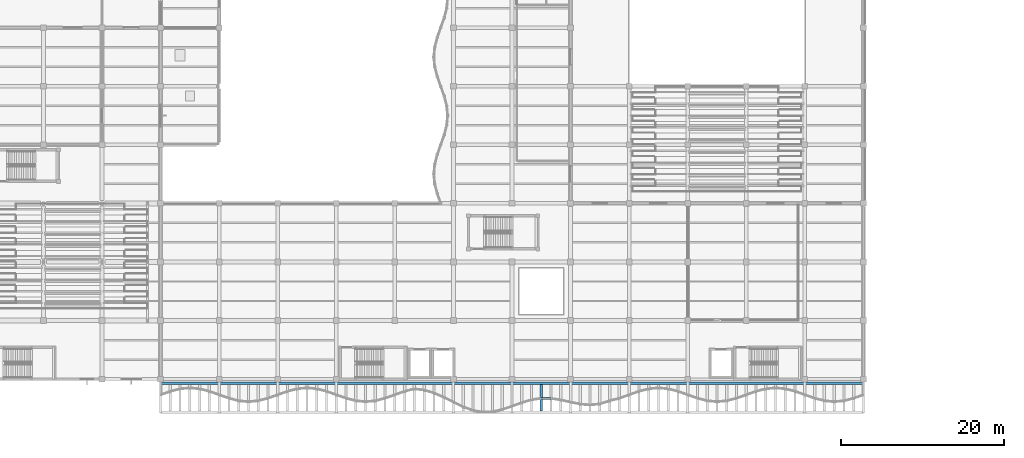
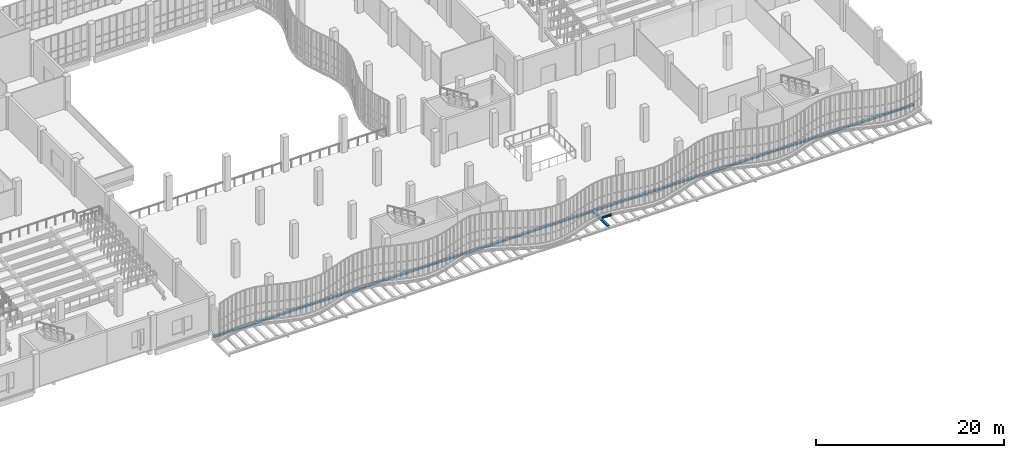
# One storey, part 30 of 108: 3 beams.
"""IFC4 building model written with IfcOpenShell, lengths in metres."""

from ifc_helpers import new_model, si_unit, direction, frame, origin, origin_2d, place, context, subcontext, project, spatial, i_section, extrude, material, material_profile, profile_set, type_object, element, save


model = new_model("IFC4")

# Units and contexts
model_context = context("Model", 3, precision=1e-05, world=origin(), true_north=direction((0.0, 1.0)))
body_context = subcontext(model_context, "Body", "Model", "MODEL_VIEW")
ifc_project = project(units=[si_unit("LENGTHUNIT", "METRE"), si_unit("AREAUNIT", "SQUARE_METRE"), si_unit("VOLUMEUNIT", "CUBIC_METRE"), si_unit("PLANEANGLEUNIT", "RADIAN"), si_unit("MASSUNIT", "GRAM", prefix="KILO"), si_unit("THERMODYNAMICTEMPERATUREUNIT", "KELVIN"), si_unit("POWERUNIT", "WATT")], contexts=[model_context])

# Site, building, storey
site_placement = place(None, origin())
site = spatial("IfcSite", under=ifc_project, at=site_placement, CompositionType="ELEMENT")
building_placement = place(site_placement, origin())
building = spatial("IfcBuilding", under=site, at=building_placement, Name="Kaldorven Railside Theatre", CompositionType="ELEMENT")
storey_placement = place(building_placement, frame((0.0, 0.0, 5.39990234375)))
storey = spatial("IfcBuildingStorey", under=building, at=storey_placement, Name="L01", CompositionType="ELEMENT", Elevation=5.39990234375)

# Beams
ifc_material = material(Name="Steel S355", Category="steel")
ifc_material_profile = material_profile(ifc_material, i_section(OverallWidth=0.280029296875, OverallDepth=0.280029296875, WebThickness=0.010498046875, FlangeThickness=0.01806640625, at=origin_2d()), Name="HEB 280")
ifc_profile_set = profile_set([ifc_material_profile], Name="Steel S355")
beam_type = type_object("IfcBeamType", Name="BM-HEB280", PredefinedType="SPANDREL", material=ifc_profile_set)
beam_1_placement = place(storey_placement, frame((36.800048828125, 18.699951171875, -0.719970703125), z_axis=(1.0, 0.0, 0.0), x_axis=(0.0, 1.0, 0.0)))
element("IfcBeam", 1, at=beam_1_placement, inside=storey, type_object=beam_type, Name="L01 Sinusoidal In Collector Girder FOB-T013", PredefinedType="SPANDREL", context=body_context, shape_type="SweptSolid", body=[
    extrude(i_section(OverallWidth=0.280029296875, OverallDepth=0.280029296875, WebThickness=0.010498046875, FlangeThickness=0.01806640625, at=origin_2d()), origin(), (0.0, 0.0, 1.0), 86.39990234375),
])
beam_2_placement = place(storey_placement, frame((83.614990234375, 16.821044921875, -0.43994140625), z_axis=(0.999902271255, -0.013980269652, 0.0), x_axis=(0.013980269652, 0.999902271255, 0.0)))
element("IfcBeam", 2, at=beam_2_placement, inside=storey, type_object=beam_type, Name="L01 Sinusoidal Flute Edge Spandrel FSB-040", PredefinedType="SPANDREL", context=body_context, shape_type="SweptSolid", body=[
    extrude(i_section(OverallWidth=0.280029296875, OverallDepth=0.280029296875, WebThickness=0.010498046875, FlangeThickness=0.01806640625, at=origin_2d()), origin(), (0.0, 0.0, 1.0), 1.169921875),
])
beam_3_placement = place(storey_placement, frame((83.60009765625, 15.260009765625, -0.719970703125), z_axis=(0.0, 1.0, 0.0), x_axis=(-1.0, 0.0, 0.0)))
element("IfcBeam", 3, at=beam_3_placement, inside=storey, type_object=beam_type, Name="L01 Sinusoidal Diaphragm Rib Outrigger FOB-M040", PredefinedType="SPANDREL", context=body_context, shape_type="SweptSolid", body=[
    extrude(i_section(OverallWidth=0.280029296875, OverallDepth=0.280029296875, WebThickness=0.010498046875, FlangeThickness=0.01806640625, at=origin_2d()), origin(), (0.0, 0.0, 1.0), 3.280029296875),
])

save(model, "model.ifc")
